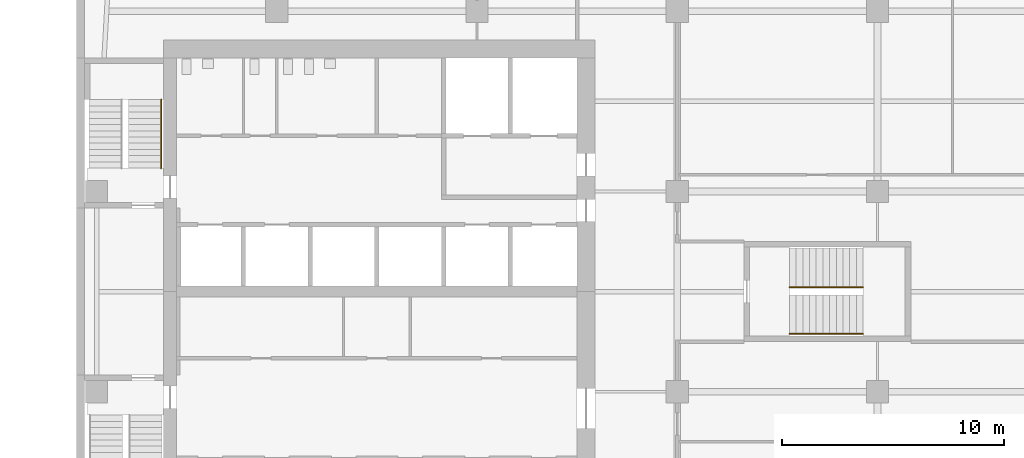
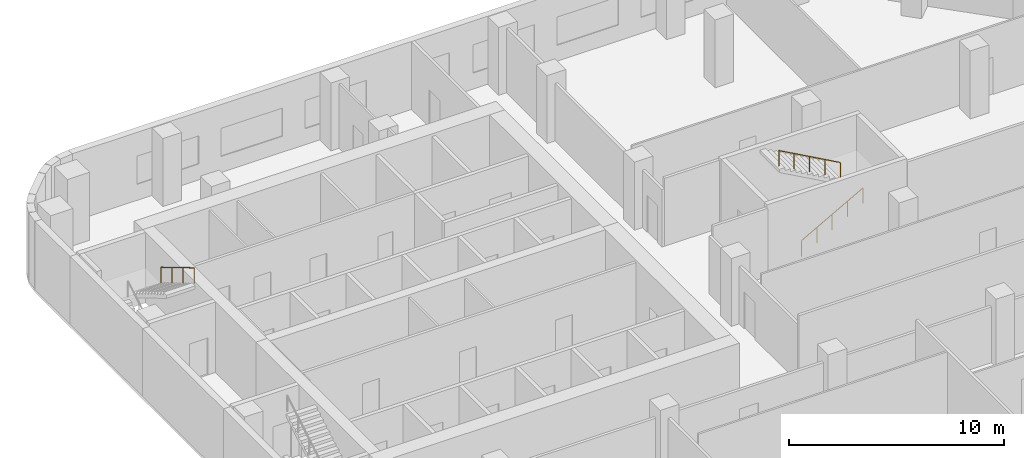
# One storey, part 13 of 14: 3 railings, 2 elements without a shape of their own.
"""IFC4 building model written with IfcOpenShell, lengths in metres."""

from ifc_helpers import new_model, si_unit, direction, frame, origin, origin_2d, place, context, subcontext, project, spatial, circle, extrude, material, type_object, element, aggregate, save


model = new_model("IFC4")

# Units and contexts
model_context = context("Model", 3, precision=1e-05, world=origin(), true_north=direction((0.0, 1.0)))
body_context = subcontext(model_context, "Body", "Model", "MODEL_VIEW")
ifc_project = project(units=[si_unit("LENGTHUNIT", "METRE"), si_unit("AREAUNIT", "SQUARE_METRE"), si_unit("VOLUMEUNIT", "CUBIC_METRE"), si_unit("PLANEANGLEUNIT", "RADIAN"), si_unit("MASSUNIT", "GRAM", prefix="KILO")], contexts=[model_context])

# Site, building, storey
site_placement = place(None, origin())
site = spatial("IfcSite", under=ifc_project, at=site_placement, CompositionType="ELEMENT")
building_placement = place(site_placement, origin())
building = spatial("IfcBuilding", under=site, at=building_placement, Name="Cinnabar Reach Civic Tower", CompositionType="ELEMENT")
storey_placement = place(building_placement, frame((0.0, 0.0, 104.0)))
storey = spatial("IfcBuildingStorey", under=building, at=storey_placement, Name="L24", CompositionType="ELEMENT", Elevation=104.0)

# Stair, railing
ifc_material_1 = material(Name="Concrete C40/50", Category="concrete")
stair_type = type_object("IfcStairType", Name="T1 Exit stair, half-turn", PredefinedType="HALF_TURN_STAIR", material=ifc_material_1)
stair_1_placement = place(storey_placement, origin())
stair_1 = element("IfcStair", 1, at=stair_1_placement, inside=storey, type_object=stair_type, Name="Stair T1-S2", PredefinedType="HALF_TURN_STAIR")
ifc_material_2 = material(Name="Stainless steel tube", Category="steel")
railing_type = type_object("IfcRailingType", Name="T1 Stair handrail, stainless tube 48", PredefinedType="HANDRAIL", material=ifc_material_2)
railing_1_placement = place(storey_placement, frame((3.8, 40.13, 2.1667)))
railing_1 = element("IfcRailing", 2, at=railing_1_placement, type_object=railing_type, Name="T1-S2 handrail 2", PredefinedType="HANDRAIL", context=body_context, shape_type="SweptSolid", body=[
    extrude(circle(Radius=0.024, at=origin_2d()), frame((0.0, 0.0, 0.876), z_axis=(0.0, -0.859296971757, 0.511476992962), x_axis=(1.0, 0.0, 0.0)), (0.0, 0.0, 1.0), 3.5843),
    extrude(circle(Radius=0.021, at=origin_2d()), origin(), (0.0, 0.0, 1.0), 0.852),
    extrude(circle(Radius=0.021, at=origin_2d()), frame((0.0, -1.0267, 0.6111)), (0.0, 0.0, 1.0), 0.852),
    extrude(circle(Radius=0.021, at=origin_2d()), frame((0.0, -2.0533, 1.2222)), (0.0, 0.0, 1.0), 0.852),
    extrude(circle(Radius=0.021, at=origin_2d()), frame((0.0, -3.08, 1.8333)), (0.0, 0.0, 1.0), 0.852),
])
aggregate(stair_1, [railing_1])

# Stair, railings
stair_2_placement = place(storey_placement, origin())
stair_2 = element("IfcStair", 3, at=stair_2_placement, inside=storey, type_object=stair_type, Name="Stair T1-S3", PredefinedType="HALF_TURN_STAIR")
railing_2_placement = place(storey_placement, frame((32.05, 29.6, 0.1667)))
railing_2 = element("IfcRailing", 4, at=railing_2_placement, type_object=railing_type, Name="T1-S3 handrail 1", PredefinedType="HANDRAIL", context=body_context, shape_type="SweptSolid", body=[
    extrude(circle(Radius=0.024, at=origin_2d()), frame((0.0, 0.0, 0.876), z_axis=(0.874161024642, 0.0, 0.485636183781), x_axis=(0.0, 1.0, 0.0)), (0.0, 0.0, 1.0), 3.775),
    extrude(circle(Radius=0.021, at=origin_2d()), origin(), (0.0, 0.0, 1.0), 0.852),
    extrude(circle(Radius=0.021, at=origin_2d()), frame((0.825, 0.0, 0.4583)), (0.0, 0.0, 1.0), 0.852),
    extrude(circle(Radius=0.021, at=origin_2d()), frame((1.65, 0.0, 0.9166)), (0.0, 0.0, 1.0), 0.852),
    extrude(circle(Radius=0.021, at=origin_2d()), frame((2.475, 0.0, 1.375)), (0.0, 0.0, 1.0), 0.852),
    extrude(circle(Radius=0.021, at=origin_2d()), frame((3.3, 0.0, 1.8333)), (0.0, 0.0, 1.0), 0.852),
])
railing_3_placement = place(storey_placement, frame((35.35, 31.7, 2.1667)))
railing_3 = element("IfcRailing", 5, at=railing_3_placement, type_object=railing_type, Name="T1-S3 handrail 2", PredefinedType="HANDRAIL", context=body_context, shape_type="SweptSolid", body=[
    extrude(circle(Radius=0.024, at=origin_2d()), frame((0.0, 0.0, 0.876), z_axis=(-0.874161024642, 0.0, 0.485636183781), x_axis=(0.0, -1.0, 0.0)), (0.0, 0.0, 1.0), 3.775),
    extrude(circle(Radius=0.021, at=origin_2d()), origin(), (0.0, 0.0, 1.0), 0.852),
    extrude(circle(Radius=0.021, at=origin_2d()), frame((-0.825, 0.0, 0.4583)), (0.0, 0.0, 1.0), 0.852),
    extrude(circle(Radius=0.021, at=origin_2d()), frame((-1.65, 0.0, 0.9166)), (0.0, 0.0, 1.0), 0.852),
    extrude(circle(Radius=0.021, at=origin_2d()), frame((-2.475, 0.0, 1.375)), (0.0, 0.0, 1.0), 0.852),
    extrude(circle(Radius=0.021, at=origin_2d()), frame((-3.3, 0.0, 1.8333)), (0.0, 0.0, 1.0), 0.852),
])
aggregate(stair_2, [railing_2, railing_3])

save(model, "model.ifc")
